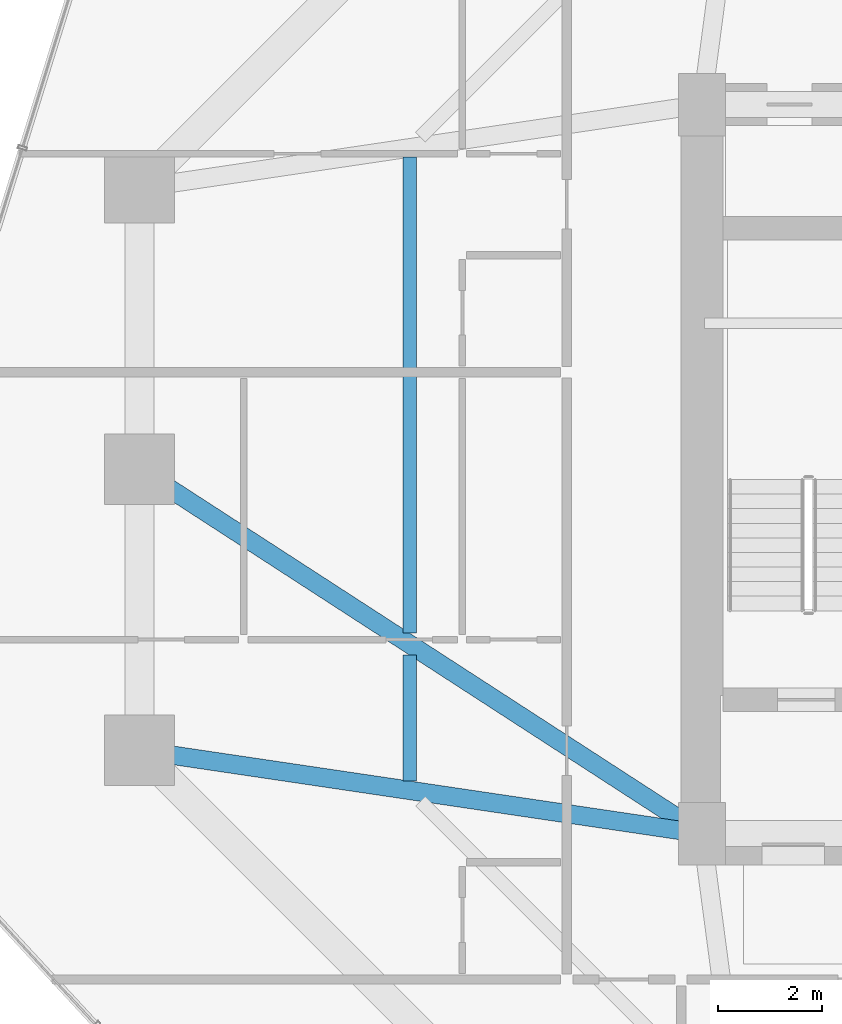
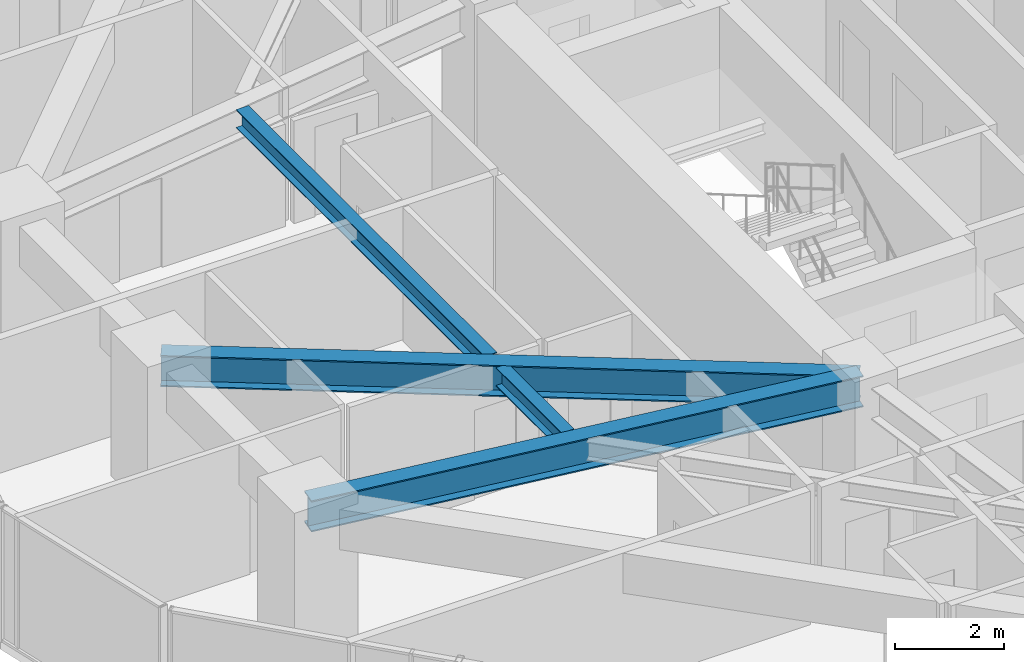
# One storey, part 11 of 39: 4 beams.
"""IFC4 building model written with IfcOpenShell, lengths in metres."""

import ifcopenshell
import ifcopenshell.guid

model = None  # the IFC model being written
_history = None  # IfcOwnerHistory: only IFC2X3 demands one
_inside = {}  # id of a spatial element -> (the spatial element, [elements in it])
_under = {}  # id of a project, library or spatial element -> (it, [spatial elements below it])
_declared = {}  # id of a project -> (the project, [libraries it declares])
_typed = {}  # id of a type object -> (the type object, [elements of that type])
_made_of = {}  # id of a material, layer set ... -> (it, [elements and type objects made of it])


def new_model(schema):
    """Start an empty IFC model of exactly this schema.

    Asked for "IFC4X3", IfcOpenShell would pick the latest addendum, in which some entities
    have other attributes; the version numbers below select the first issue.
    IFC2X3 requires an IfcOwnerHistory on every rooted entity: one is made here for all.
    """
    global model, _history
    if schema == "IFC4X3":
        model = ifcopenshell.file(schema_version=(4, 3, 0, 0))
    else:
        model = ifcopenshell.file(schema=schema)
    _inside.clear()
    _under.clear()
    _declared.clear()
    _typed.clear()
    _made_of.clear()
    _history = None
    if model.schema == "IFC2X3":
        org = make("IfcOrganization", Name="unknown")
        user = make(
            "IfcPersonAndOrganization",
            ThePerson=make("IfcPerson", FamilyName="unknown"),
            TheOrganization=org,
        )
        app = make(
            "IfcApplication",
            ApplicationDeveloper=org,
            Version="unknown",
            ApplicationFullName="unknown",
            ApplicationIdentifier="unknown",
        )
        _history = make(
            "IfcOwnerHistory",
            OwningUser=user,
            OwningApplication=app,
            ChangeAction="ADDED",
            CreationDate=0,
        )
    return model


def make(cls, **values):
    """One entity of the class cls with the attributes given. An attribute that is None is left unset."""
    return model.create_entity(
        cls, **{name: value for name, value in values.items() if value is not None}
    )


def rooted(cls, **values):
    """An entity with a GlobalId (a new one), such as an element, a storey or a relation."""
    return make(cls, GlobalId=ifcopenshell.guid.new(), OwnerHistory=_history, **values)


def si_unit(unit_type, name, prefix=None):
    """IfcSIUnit, for example si_unit("LENGTHUNIT", "METRE", prefix="MILLI")."""
    return make("IfcSIUnit", UnitType=unit_type, Prefix=prefix, Name=name)


def assignment(units):
    """IfcUnitAssignment: the units of a project."""
    return None if units is None else make("IfcUnitAssignment", Units=units)


def point(xyz):
    """IfcCartesianPoint."""
    return None if xyz is None else make("IfcCartesianPoint", Coordinates=xyz)


def direction(xyz):
    """IfcDirection."""
    return None if xyz is None else make("IfcDirection", DirectionRatios=xyz)


def frame(location, z_axis=None, x_axis=None):
    """IfcAxis2Placement3D, a coordinate frame: its origin and axes. An axis left out is left unset."""
    return make(
        "IfcAxis2Placement3D",
        Location=point(location),
        Axis=direction(z_axis),
        RefDirection=direction(x_axis),
    )


def frame_2d(location, x_axis=None):
    """IfcAxis2Placement2D, a coordinate frame in the plane: its origin and x axis."""
    return make(
        "IfcAxis2Placement2D", Location=point(location), RefDirection=direction(x_axis)
    )


def origin():
    """The frame at (0, 0, 0) with its axes left unset."""
    return frame((0.0, 0.0, 0.0))


def origin_2d():
    """The frame at (0, 0) in the plane with its x axis left unset."""
    return frame_2d((0.0, 0.0))


def place(relative_to, where):
    """IfcLocalPlacement: puts the frame where relative to a parent placement (None: the world)."""
    return make(
        "IfcLocalPlacement", PlacementRelTo=relative_to, RelativePlacement=where
    )


def context(
    kind, dimensions, precision=None, world=None, true_north=None, identifier=None
):
    """IfcGeometricRepresentationContext, for example the 3D "Model" context."""
    return make(
        "IfcGeometricRepresentationContext",
        ContextIdentifier=identifier,
        ContextType=kind,
        CoordinateSpaceDimension=dimensions,
        Precision=precision,
        WorldCoordinateSystem=world,
        TrueNorth=true_north,
    )


def subcontext(parent, identifier, kind, view, scale=None):
    """IfcGeometricRepresentationSubContext, for example "Body" below "Model"."""
    return make(
        "IfcGeometricRepresentationSubContext",
        ContextIdentifier=identifier,
        ContextType=kind,
        ParentContext=parent,
        TargetScale=scale,
        TargetView=view,
    )


def project(units=None, contexts=None):
    """IfcProject with its units and contexts."""
    return rooted(
        "IfcProject",
        Name="project",
        RepresentationContexts=contexts,
        UnitsInContext=assignment(units),
    )


def spatial(cls, under=None, at=None, **own):
    """A site, building, storey or space (cls), placed at a placement, below another one or the project."""
    s = rooted(cls, ObjectPlacement=at, **own)
    if under is not None:
        _under.setdefault(under.id(), (under, []))[1].append(s)
    return s


def profile(cls, at=None, kind="AREA", **sizes):
    """A parametric profile (cls). Its sizes go by their IFC names, for example OverallWidth=200.0."""
    return make(cls, ProfileType=kind, Position=at, **sizes)


def i_section(**sizes):
    """IfcIShapeProfileDef."""
    return profile("IfcIShapeProfileDef", **sizes)


def extrude(swept, where, along, depth):
    """IfcExtrudedAreaSolid: the profile swept, set in the frame where, extruded along a direction by depth."""
    return make(
        "IfcExtrudedAreaSolid",
        SweptArea=swept,
        Position=where,
        ExtrudedDirection=direction(along),
        Depth=depth,
    )


def shape(context_of_items, identifier, shape_type, items):
    """IfcShapeRepresentation: the items that make up one representation, for example the "Body"."""
    return make(
        "IfcShapeRepresentation",
        ContextOfItems=context_of_items,
        RepresentationIdentifier=identifier,
        RepresentationType=shape_type,
        Items=items,
    )


def material(Name=None, Category=None):
    """IfcMaterial."""
    return make("IfcMaterial", Name=Name, Category=Category)


def material_profile(
    of_material, cross_section, Name=None, Category=None, Priority=None
):
    """IfcMaterialProfile: a cross section and its material."""
    return make(
        "IfcMaterialProfile",
        Name=Name,
        Material=of_material,
        Profile=cross_section,
        Priority=Priority,
        Category=Category,
    )


def profile_set(profiles, Name=None, composite=None):
    """IfcMaterialProfileSet."""
    return make(
        "IfcMaterialProfileSet",
        Name=Name,
        MaterialProfiles=profiles,
        CompositeProfile=composite,
    )


def made_of(thing, what):
    """Note that an element or type object is made of a material, layer set ...; save() writes the relation."""
    if what is not None:
        _made_of.setdefault(what.id(), (what, []))[1].append(thing)
    return thing


def type_object(cls, material=None, **own):
    """A type object (cls), such as IfcWallType, which elements share."""
    return made_of(rooted(cls, **own), material)


def element(
    cls,
    number,
    at=None,
    inside=None,
    cuts=None,
    type_object=None,
    material=None,
    context=None,
    identifier="Body",
    shape_type=None,
    held_by="IfcProductDefinitionShape",
    body=None,
    shapes=None,
    **own,
):
    """One element of the class cls, such as IfcWall. Its Tag is "e" and its number.

    at: its placement. inside: the storey or other place that contains it. cuts: it is an
    opening in that element (IfcRelVoidsElement). A single representation is given by context,
    identifier, shape_type and body (its items); several are given by shapes. held_by: the class
    of the entity that holds the representations. save() writes the other relations.
    """
    e = rooted(cls, Tag="e%d" % number, ObjectPlacement=at, **own)
    if body is not None:
        shapes = [shape(context, identifier, shape_type, body)]
    if shapes is not None:
        e.Representation = make(held_by, Representations=shapes)
    if inside is not None:
        _inside.setdefault(inside.id(), (inside, []))[1].append(e)
    if cuts is not None:
        rooted(
            "IfcRelVoidsElement", RelatingBuildingElement=cuts, RelatedOpeningElement=e
        )
    if type_object is not None:
        _typed.setdefault(type_object.id(), (type_object, []))[1].append(e)
    return made_of(e, material)


def aggregate(whole, parts):
    """IfcRelAggregates: a whole, such as a stair, and the parts it consists of."""
    return rooted("IfcRelAggregates", RelatingObject=whole, RelatedObjects=parts)


def save(model, path):
    """Write the relations noted so far, then the file.

    IfcRelAggregates (storeys below a building ...), IfcRelContainedInSpatialStructure (elements
    in a storey), IfcRelDefinesByType, IfcRelAssociatesMaterial and IfcRelDeclares: one each for
    every whole, place, type object, material and project.
    """
    for whole, parts in _under.values():
        aggregate(whole, parts)
    for where, things in _inside.values():
        rooted(
            "IfcRelContainedInSpatialStructure",
            RelatedElements=things,
            RelatingStructure=where,
        )
    for kind, things in _typed.values():
        rooted("IfcRelDefinesByType", RelatedObjects=things, RelatingType=kind)
    for what, things in _made_of.values():
        rooted("IfcRelAssociatesMaterial", RelatedObjects=things, RelatingMaterial=what)
    for by, libraries in _declared.values():
        rooted("IfcRelDeclares", RelatingContext=by, RelatedDefinitions=libraries)
    model.write(path)


model = new_model("IFC4")

# Units and contexts
model_context = context("Model", 3, precision=1e-05, world=origin(), true_north=direction((0.0, 1.0)))
body_context = subcontext(model_context, "Body", "Model", "MODEL_VIEW")
ifc_project = project(units=[si_unit("LENGTHUNIT", "METRE"), si_unit("AREAUNIT", "SQUARE_METRE"), si_unit("VOLUMEUNIT", "CUBIC_METRE"), si_unit("PLANEANGLEUNIT", "RADIAN"), si_unit("MASSUNIT", "GRAM", prefix="KILO")], contexts=[model_context])

# Site, building, storey
site_placement = place(None, origin())
site = spatial("IfcSite", under=ifc_project, at=site_placement, CompositionType="ELEMENT")
building_placement = place(site_placement, origin())
building = spatial("IfcBuilding", under=site, at=building_placement, Name="Veraguas Prism Commons", CompositionType="ELEMENT")
storey_placement = place(building_placement, frame((0.0, 0.0, 67.35009765625)))
storey = spatial("IfcBuildingStorey", under=building, at=storey_placement, Name="L18", CompositionType="ELEMENT", Elevation=67.35009765625)

# Beams
ifc_material = material(Name="Steel ASTM A992 Grade 50", Category="steel")
ifc_material_profile_1 = material_profile(ifc_material, i_section(OverallWidth=0.260986328125, OverallDepth=0.419921875, WebThickness=0.01171875, FlangeThickness=0.019287109375, at=origin_2d()), Name="W410X114")
ifc_profile_set_1 = profile_set([ifc_material_profile_1], Name="Steel ASTM A992 Grade 50")
beam_type_1 = type_object("IfcBeamType", Name="Lower Floor Joist W410x114", PredefinedType="JOIST", material=ifc_profile_set_1)
beam_1_placement = place(storey_placement, frame((11.583984375, 29.989990234375, 2.789794921875), z_axis=(0.0, -1.0, 0.0), x_axis=(1.0, 0.0, 0.0)))
element("IfcBeam", 1, at=beam_1_placement, inside=storey, type_object=beam_type_1, Name="Composite Floor Joist L18-JS07", PredefinedType="JOIST", context=body_context, shape_type="SweptSolid", body=[
    extrude(i_section(OverallWidth=0.260986328125, OverallDepth=0.419921875, WebThickness=0.01171875, FlangeThickness=0.019287109375, at=origin_2d()), origin(), (0.0, 0.0, 1.0), 9.140380859375),
])
beam_2_placement = place(storey_placement, frame((11.583984375, 20.430419921875, 2.789794921875), z_axis=(0.0, -1.0, 0.0), x_axis=(1.0, 0.0, 0.0)))
element("IfcBeam", 2, at=beam_2_placement, inside=storey, type_object=beam_type_1, Name="Composite Floor Joist L18-JS08", PredefinedType="JOIST", context=body_context, shape_type="SweptSolid", body=[
    extrude(i_section(OverallWidth=0.260986328125, OverallDepth=0.419921875, WebThickness=0.01171875, FlangeThickness=0.019287109375, at=origin_2d()), origin(), (0.0, 0.0, 1.0), 2.42041015625),
])
ifc_material_profile_2 = material_profile(ifc_material, i_section(OverallWidth=0.35595703125, OverallDepth=0.700927734375, WebThickness=0.016845703125, FlangeThickness=0.02734375, at=origin_2d()), Name="W690X240")
ifc_profile_set_2 = profile_set([ifc_material_profile_2], Name="Steel ASTM A992 Grade 50")
beam_type_2 = type_object("IfcBeamType", Name="Zone 1 Radial Girder W690x240", PredefinedType="BEAM", material=ifc_profile_set_2)
beam_3_placement = place(storey_placement, frame((6.39990234375, 24.0, 2.6494140625), z_axis=(0.839154108875, -0.543893722668, 0.0), x_axis=(0.543893722668, 0.839154108875, 0.0)))
element("IfcBeam", 3, at=beam_3_placement, inside=storey, type_object=beam_type_2, Name="Radial Floor Girder L18-RD08", PredefinedType="BEAM", context=body_context, shape_type="SweptSolid", body=[
    extrude(i_section(OverallWidth=0.35595703125, OverallDepth=0.700927734375, WebThickness=0.016845703125, FlangeThickness=0.02734375, at=origin_2d()), origin(), (0.0, 0.0, 1.0), 12.8701171875),
])
beam_4_placement = place(storey_placement, frame((6.39990234375, 18.60009765625, 2.6494140625), z_axis=(0.989202261707, -0.146556765224, 0.0), x_axis=(0.146556765224, 0.989202261707, 0.0)))
element("IfcBeam", 4, at=beam_4_placement, inside=storey, type_object=beam_type_2, Name="Radial Floor Girder L18-RD09", PredefinedType="BEAM", context=body_context, shape_type="SweptSolid", body=[
    extrude(i_section(OverallWidth=0.35595703125, OverallDepth=0.700927734375, WebThickness=0.016845703125, FlangeThickness=0.02734375, at=origin_2d()), origin(), (0.0, 0.0, 1.0), 10.91796875),
])

save(model, "model.ifc")
